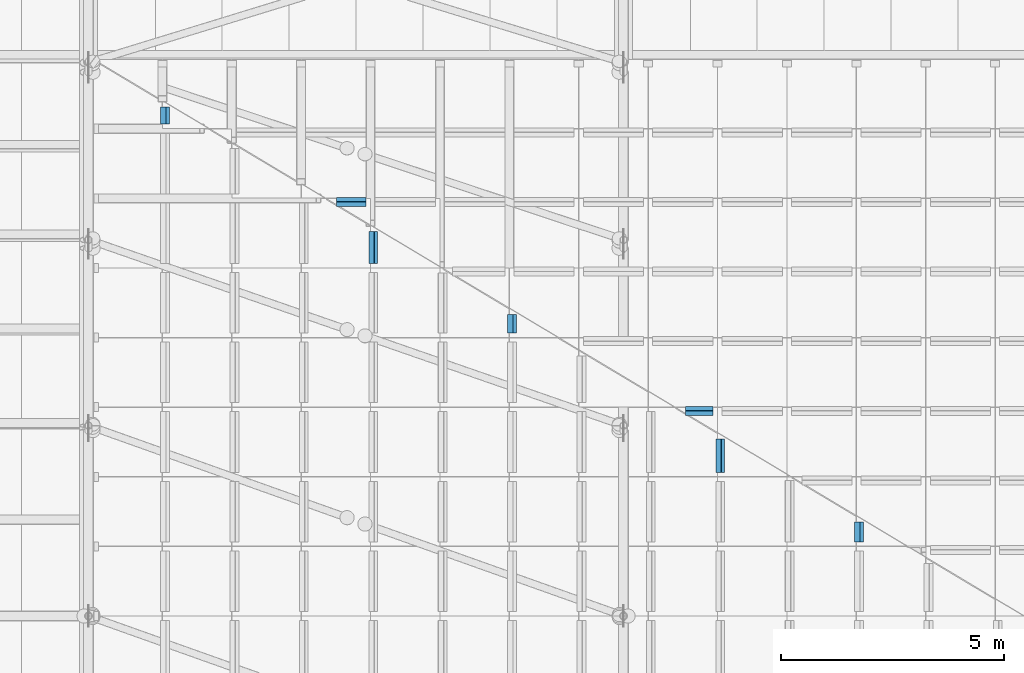
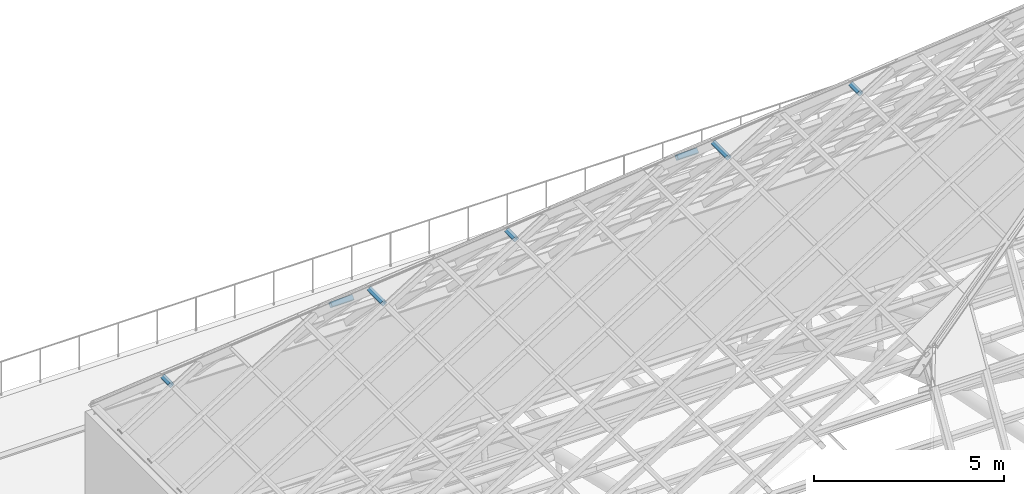
# One storey, part 47 of 110: 7 members.
"""IFC4 building model written with IfcOpenShell, lengths in metres."""

from ifc_helpers import new_model, si_unit, direction, frame, origin, origin_2d, place, context, subcontext, project, spatial, hollow_rectangle, extrude, material, material_profile, profile_set, type_object, element, save


model = new_model("IFC4")

# Units and contexts
model_context = context("Model", 3, precision=1e-05, world=origin(), true_north=direction((0.0, 1.0)))
body_context = subcontext(model_context, "Body", "Model", "MODEL_VIEW")
ifc_project = project(units=[si_unit("LENGTHUNIT", "METRE"), si_unit("AREAUNIT", "SQUARE_METRE"), si_unit("VOLUMEUNIT", "CUBIC_METRE"), si_unit("PLANEANGLEUNIT", "RADIAN"), si_unit("MASSUNIT", "GRAM", prefix="KILO")], contexts=[model_context])

# Site, building, storey
site_placement = place(None, origin())
site = spatial("IfcSite", under=ifc_project, at=site_placement, CompositionType="ELEMENT")
building_placement = place(site_placement, origin())
building = spatial("IfcBuilding", under=site, at=building_placement, Name="Windward Yard Aquatics Centre", CompositionType="ELEMENT")
storey_placement = place(building_placement, frame((0.0, 0.0, 22.60009765625)))
storey = spatial("IfcBuildingStorey", under=building, at=storey_placement, Name="L05", CompositionType="ELEMENT", Elevation=22.60009765625)

# Members
ifc_material = material(Name="Steel ASTM A500 Gr C", Category="steel")
ifc_material_profile = material_profile(ifc_material, hollow_rectangle(XDim=0.15234375, YDim=0.15234375, WallThickness=0.009521484375, InnerFilletRadius=0.004638671875, OuterFilletRadius=0.01416015625, at=origin_2d()), Name="HSS152X152X9.5")
ifc_profile_set = profile_set([ifc_material_profile], Name="Steel ASTM A500 Gr C")
member_type = type_object("IfcMemberType", Name="H lantern purlin HSS152X152X9.5", PredefinedType="PURLIN", material=ifc_profile_set)
member_1_placement = place(storey_placement, frame((101.557861328125, 70.28662109375, 14.04150390625), z_axis=(1.0, 0.0, 0.0), x_axis=(0.0, 0.695550485066, -0.718477224917)))
element("IfcMember", 1, at=member_1_placement, inside=storey, type_object=member_type, Name="H.LN.U.03.02.01", PredefinedType="PURLIN", context=body_context, shape_type="SweptSolid", body=[
    extrude(hollow_rectangle(XDim=0.15234375, YDim=0.15234375, WallThickness=0.009521484375, InnerFilletRadius=0.004638671875, OuterFilletRadius=0.01416015625, at=origin_2d()), origin(), (0.0, 0.0, 1.0), 0.666748046875),
])
member_2_placement = place(storey_placement, frame((109.38916015625, 65.602783203125, 18.87939453125), z_axis=(1.0, 0.0, 0.0), x_axis=(0.0, 0.695550485066, -0.718477224917)))
element("IfcMember", 2, at=member_2_placement, inside=storey, type_object=member_type, Name="H.LN.U.03.05.01", PredefinedType="PURLIN", context=body_context, shape_type="SweptSolid", body=[
    extrude(hollow_rectangle(XDim=0.15234375, YDim=0.15234375, WallThickness=0.009521484375, InnerFilletRadius=0.004638671875, OuterFilletRadius=0.01416015625, at=origin_2d()), origin(), (0.0, 0.0, 1.0), 0.617919921875),
])
member_3_placement = place(storey_placement, frame((97.715576171875, 72.02978515625, 11.76025390625), z_axis=(0.0, 1.0, 0.0), x_axis=(-0.850755160219, 0.0, -0.525562229771)))
element("IfcMember", 3, at=member_3_placement, inside=storey, type_object=member_type, Name="H.LN.U.04.01.16", PredefinedType="PURLIN", context=body_context, shape_type="SweptSolid", body=[
    extrude(hollow_rectangle(XDim=0.15234375, YDim=0.15234375, WallThickness=0.009521484375, InnerFilletRadius=0.004638671875, OuterFilletRadius=0.01416015625, at=origin_2d()), origin(), (0.0, 0.0, 1.0), 0.38720703125),
])
member_4_placement = place(storey_placement, frame((102.385009765625, 68.907470703125, 14.64501953125), z_axis=(0.0, 1.0, 0.0), x_axis=(-0.850755160219, 0.0, -0.525562229771)))
element("IfcMember", 4, at=member_4_placement, inside=storey, type_object=member_type, Name="H.LN.U.04.04.13", PredefinedType="PURLIN", context=body_context, shape_type="SweptSolid", body=[
    extrude(hollow_rectangle(XDim=0.15234375, YDim=0.15234375, WallThickness=0.009521484375, InnerFilletRadius=0.004638671875, OuterFilletRadius=0.01416015625, at=origin_2d()), origin(), (0.0, 0.0, 1.0), 0.716796875),
])
member_5_placement = place(storey_placement, frame((105.498046875, 67.34619140625, 16.568115234375), z_axis=(0.0, 1.0, 0.0), x_axis=(-0.850755160219, 0.0, -0.525562229771)))
element("IfcMember", 5, at=member_5_placement, inside=storey, type_object=member_type, Name="H.LN.U.04.06.11", PredefinedType="PURLIN", context=body_context, shape_type="SweptSolid", body=[
    extrude(hollow_rectangle(XDim=0.15234375, YDim=0.15234375, WallThickness=0.009521484375, InnerFilletRadius=0.004638671875, OuterFilletRadius=0.01416015625, at=origin_2d()), origin(), (0.0, 0.0, 1.0), 0.416259765625),
])
member_6_placement = place(storey_placement, frame((110.167724609375, 64.22412109375, 19.452880859375), z_axis=(0.0, 1.0, 0.0), x_axis=(-0.850755160219, 0.0, -0.525562229771)))
element("IfcMember", 6, at=member_6_placement, inside=storey, type_object=member_type, Name="H.LN.U.04.09.08", PredefinedType="PURLIN", context=body_context, shape_type="SweptSolid", body=[
    extrude(hollow_rectangle(XDim=0.15234375, YDim=0.15234375, WallThickness=0.009521484375, InnerFilletRadius=0.004638671875, OuterFilletRadius=0.01416015625, at=origin_2d()), origin(), (0.0, 0.0, 1.0), 0.745849609375),
])
member_7_placement = place(storey_placement, frame((113.28076171875, 62.662841796875, 21.3759765625), z_axis=(0.0, 1.0, 0.0), x_axis=(-0.850755160219, 0.0, -0.525562229771)))
element("IfcMember", 7, at=member_7_placement, inside=storey, type_object=member_type, Name="H.LN.U.04.11.06", PredefinedType="PURLIN", context=body_context, shape_type="SweptSolid", body=[
    extrude(hollow_rectangle(XDim=0.15234375, YDim=0.15234375, WallThickness=0.009521484375, InnerFilletRadius=0.004638671875, OuterFilletRadius=0.01416015625, at=origin_2d()), origin(), (0.0, 0.0, 1.0), 0.4453125),
])

save(model, "model.ifc")
